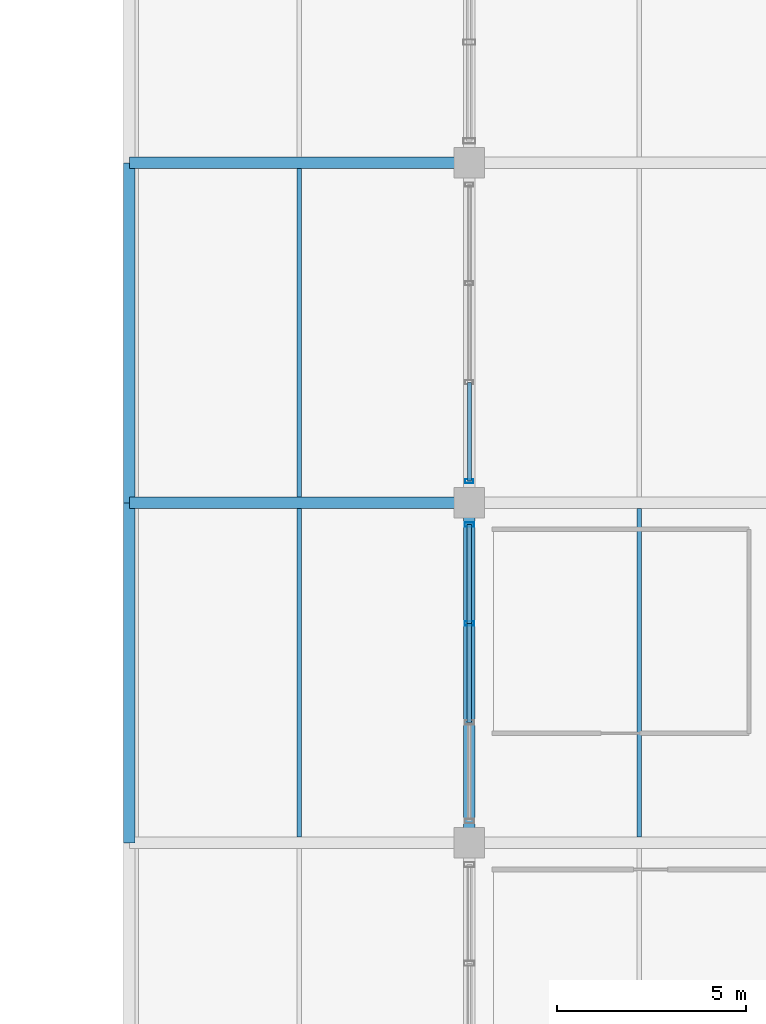
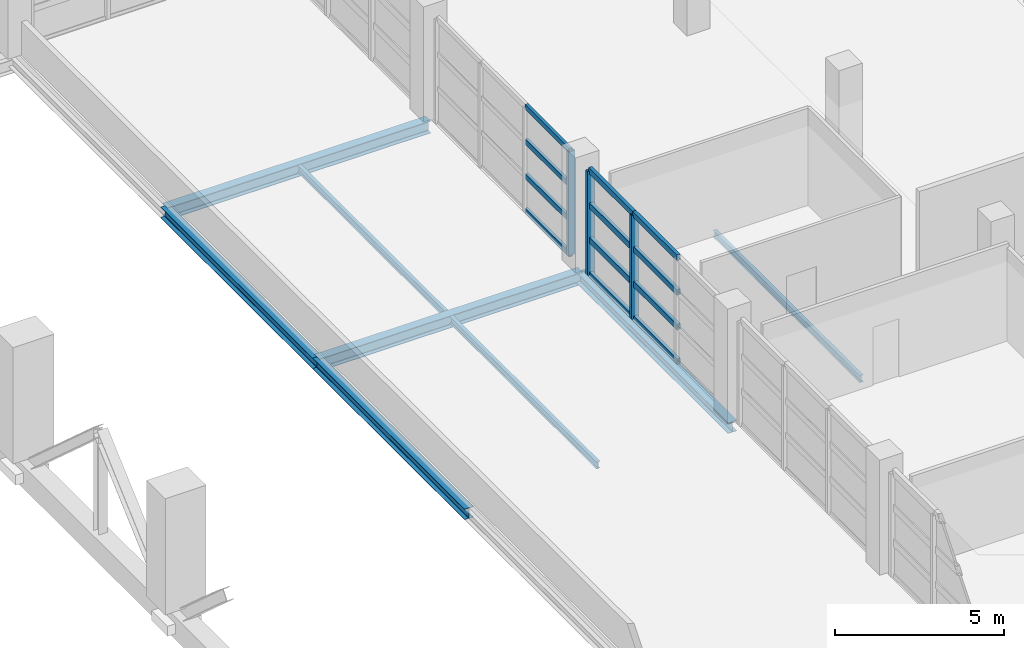
# One storey, part 80 of 136: 15 members, 8 beams, 2 elements without a shape of their own.
"""IFC4 building model written with IfcOpenShell, lengths in metres."""

from ifc_helpers import new_model, si_unit, direction, frame, origin, origin_2d, place, context, subcontext, project, spatial, hollow_rectangle, i_section, extrude, material, material_profile, profile_set, type_object, element, aggregate, save


model = new_model("IFC4")

# Units and contexts
model_context = context("Model", 3, precision=1e-05, world=origin(), true_north=direction((0.0, 1.0)))
body_context = subcontext(model_context, "Body", "Model", "MODEL_VIEW")
ifc_project = project(units=[si_unit("LENGTHUNIT", "METRE"), si_unit("AREAUNIT", "SQUARE_METRE"), si_unit("VOLUMEUNIT", "CUBIC_METRE"), si_unit("PLANEANGLEUNIT", "RADIAN"), si_unit("MASSUNIT", "GRAM", prefix="KILO")], contexts=[model_context])

# Site, building, storey
site_placement = place(None, origin())
site = spatial("IfcSite", under=ifc_project, at=site_placement, CompositionType="ELEMENT")
building_placement = place(site_placement, origin())
building = spatial("IfcBuilding", under=site, at=building_placement, Name="Chuanluo Vaults Station", CompositionType="ELEMENT")
storey_placement = place(building_placement, frame((0.0, 0.0, 6.60009765625)))
storey = spatial("IfcBuildingStorey", under=building, at=storey_placement, Name="L01", CompositionType="ELEMENT", Elevation=6.60009765625)

# Beams
ifc_material_1 = material(Name="Steel Q355C", Category="steel")
ifc_material_profile_1 = material_profile(ifc_material_1, i_section(OverallWidth=0.300048828125, OverallDepth=0.389892578125, WebThickness=0.010009765625, FlangeThickness=0.01611328125, FilletRadius=0.02001953125, at=origin_2d()))
ifc_profile_set_1 = profile_set([ifc_material_profile_1], Name="Steel Q355C")
beam_type_1 = type_object("IfcBeamType", Name="BM-GRD-400", PredefinedType="BEAM", material=ifc_profile_set_1)
for number, where, z_axis, x_axis, name in (
    (1, (136.0, 76.5, -0.400146484375), (0.0, 1.0, 0.0), (-1.0, 0.0, 0.0), "Floor girder BM:GY:L01:0461"),
    (2, (136.0, 85.5, -0.400146484375), (0.0, 1.0, 0.0), (-1.0, 0.0, 0.0), "Floor girder BM:GY:L01:0462"),
    (3, (145.0, 76.5, -0.43505859375), (0.0, 1.0, 0.0), (-1.0, 0.0, 0.0), "Floor girder BM:GY:L01:0472"),
):
    element("IfcBeam", number, at=place(storey_placement, frame(where, z_axis=z_axis, x_axis=x_axis)), inside=storey, type_object=beam_type_1, Name=name, PredefinedType="BEAM", context=body_context, shape_type="SweptSolid", body=[
        extrude(i_section(OverallWidth=0.300048828125, OverallDepth=0.389892578125, WebThickness=0.010009765625, FlangeThickness=0.01611328125, FilletRadius=0.02001953125, at=origin_2d()), origin(), (0.0, 0.0, 1.0), 9.0),
    ])
ifc_material_2 = material(Name="Steel Q355C", Category="steel")
ifc_material_profile_2 = material_profile(ifc_material_2, i_section(OverallWidth=0.300048828125, OverallDepth=0.43994140625, WebThickness=0.010986328125, FlangeThickness=0.01806640625, FilletRadius=0.02001953125, at=origin_2d()))
ifc_profile_set_2 = profile_set([ifc_material_profile_2], Name="Steel Q355C")
beam_type_2 = type_object("IfcBeamType", Name="BM-GRD-450", PredefinedType="USERDEFINED", material=ifc_profile_set_2)
for number, where, z_axis, x_axis, name in (
    (4, (136.0, 85.5, -0.425048828125), (1.0, 0.0, 0.0), (0.0, 1.0, 0.0), "Floor girder BM:GX:L01:0351"),
    (5, (136.0, 94.5, -0.425048828125), (1.0, 0.0, 0.0), (0.0, 1.0, 0.0), "Floor girder BM:GX:L01:0357"),
):
    element("IfcBeam", number, at=place(storey_placement, frame(where, z_axis=z_axis, x_axis=x_axis)), inside=storey, type_object=beam_type_2, Name=name, ObjectType="GIRDER", PredefinedType="USERDEFINED", context=body_context, shape_type="SweptSolid", body=[
        extrude(i_section(OverallWidth=0.300048828125, OverallDepth=0.43994140625, WebThickness=0.010986328125, FlangeThickness=0.01806640625, FilletRadius=0.02001953125, at=origin_2d()), origin(), (0.0, 0.0, 1.0), 9.0),
    ])
ifc_material_3 = material(Name="Steel Q355C", Category="steel")
ifc_material_profile_3 = material_profile(ifc_material_3, i_section(OverallWidth=0.125, OverallDepth=0.25, WebThickness=0.006103515625, FlangeThickness=0.009033203125, FilletRadius=0.011962890625, at=origin_2d()))
ifc_profile_set_3 = profile_set([ifc_material_profile_3], Name="Steel Q355C")
beam_type_3 = type_object("IfcBeamType", Name="BM-SEC-250", PredefinedType="JOIST", material=ifc_profile_set_3)
for number, where, z_axis, x_axis, name in (
    (6, (140.5, 76.655029296875, -0.330078125), (0.0, 1.0, 0.0), (-1.0, 0.0, 0.0), "Composite secondary joist 0153"),
    (7, (140.5, 85.655029296875, -0.330078125), (0.0, 1.0, 0.0), (-1.0, 0.0, 0.0), "Composite secondary joist 0154"),
    (8, (149.5, 76.655029296875, -0.364990234375), (0.0, 1.0, 0.0), (-1.0, 0.0, 0.0), "Composite secondary joist 0163"),
):
    element("IfcBeam", number, at=place(storey_placement, frame(where, z_axis=z_axis, x_axis=x_axis)), inside=storey, type_object=beam_type_3, Name=name, PredefinedType="JOIST", context=body_context, shape_type="SweptSolid", body=[
        extrude(i_section(OverallWidth=0.125, OverallDepth=0.25, WebThickness=0.006103515625, FlangeThickness=0.009033203125, FilletRadius=0.011962890625, at=origin_2d()), origin(), (0.0, 0.0, 1.0), 8.68994140625),
    ])

# Curtain wall, member
ifc_material_4 = material(Name="Anodised aluminium 6063-T6", Category="aluminium")
curtain_wall_type_1 = type_object("IfcCurtainWallType", Name="CW-SYS-12", PredefinedType="NOTDEFINED", material=ifc_material_4)
curtain_wall_1_placement = place(storey_placement, origin())
curtain_wall_1 = element("IfcCurtainWall", 9, at=curtain_wall_1_placement, inside=storey, type_object=curtain_wall_type_1, Name="Operations L01 facade CW", PredefinedType="NOTDEFINED")
ifc_material_5 = material(Name="Anodised aluminium 6063-T6", Category="aluminium")
ifc_material_profile_4 = material_profile(ifc_material_5, hollow_rectangle(XDim=0.10498046875, YDim=0.219970703125, WallThickness=0.006103515625, at=origin_2d()))
ifc_profile_set_4 = profile_set([ifc_material_profile_4], Name="Anodised aluminium 6063-T6")
member_type_1 = type_object("IfcMemberType", Name="CWM-140", PredefinedType="MULLION", material=ifc_profile_set_4)
member_1_placement = place(storey_placement, frame((145.0, 86.074951171875, 0.0), z_axis=(0.0, 0.0, 1.0), x_axis=(0.0, 1.0, 0.0)))
member_1 = element("IfcMember", 10, at=member_1_placement, type_object=member_type_1, Name="Operations L01 facade CW mullion 1", PredefinedType="MULLION", context=body_context, shape_type="SweptSolid", body=[
    extrude(hollow_rectangle(XDim=0.10498046875, YDim=0.219970703125, WallThickness=0.006103515625, at=origin_2d()), origin(), (0.0, 0.0, 1.0), 3.75),
])

# Curtain wall, members
ifc_material_6 = material(Name="Anodised aluminium 6063-T6", Category="aluminium")
curtain_wall_type_2 = type_object("IfcCurtainWallType", Name="CW-SYS-11", PredefinedType="NOTDEFINED", material=ifc_material_6)
curtain_wall_2_placement = place(storey_placement, origin())
curtain_wall_2 = element("IfcCurtainWall", 11, at=curtain_wall_2_placement, inside=storey, type_object=curtain_wall_type_2, Name="Operations L01 facade CW", PredefinedType="NOTDEFINED")
ifc_material_7 = material(Name="Anodised aluminium 6063-T6", Category="aluminium")
ifc_material_profile_5 = material_profile(ifc_material_7, hollow_rectangle(XDim=0.1201171875, YDim=0.25, WallThickness=0.006103515625, at=origin_2d()))
ifc_profile_set_5 = profile_set([ifc_material_profile_5], Name="Anodised aluminium 6063-T6")
member_type_2 = type_object("IfcMemberType", Name="CWM-160", PredefinedType="MULLION", material=ifc_profile_set_5)
member_2_placement = place(storey_placement, frame((145.0, 82.308349609375, 0.0), z_axis=(0.0, 0.0, 1.0), x_axis=(0.0, 1.0, 0.0)))
member_2 = element("IfcMember", 12, at=member_2_placement, type_object=member_type_2, Name="Operations L01 facade CW mullion 3", PredefinedType="MULLION", context=body_context, shape_type="SweptSolid", body=[
    extrude(hollow_rectangle(XDim=0.1201171875, YDim=0.25, WallThickness=0.006103515625, at=origin_2d()), origin(), (0.0, 0.0, 1.0), 3.75),
])
member_3_placement = place(storey_placement, frame((145.0, 84.925048828125, 0.0), z_axis=(0.0, 0.0, 1.0), x_axis=(0.0, 1.0, 0.0)))
member_3 = element("IfcMember", 13, at=member_3_placement, type_object=member_type_2, Name="Operations L01 facade CW mullion 4", PredefinedType="MULLION", context=body_context, shape_type="SweptSolid", body=[
    extrude(hollow_rectangle(XDim=0.1201171875, YDim=0.25, WallThickness=0.006103515625, at=origin_2d()), origin(), (0.0, 0.0, 1.0), 3.75),
])

# Member
ifc_material_8 = material(Name="Anodised aluminium 6063-T6", Category="aluminium")
ifc_material_profile_6 = material_profile(ifc_material_8, hollow_rectangle(XDim=0.10498046875, YDim=0.18505859375, WallThickness=0.0048828125, at=origin_2d()))
ifc_profile_set_6 = profile_set([ifc_material_profile_6], Name="Anodised aluminium 6063-T6")
member_type_3 = type_object("IfcMemberType", Name="CWT-110", PredefinedType="USERDEFINED", material=ifc_profile_set_6)
member_4_placement = place(storey_placement, frame((145.0, 86.074951171875, 0.0), z_axis=(0.0, 1.0, 0.0), x_axis=(-1.0, 0.0, 0.0)))
member_4 = element("IfcMember", 14, at=member_4_placement, type_object=member_type_3, Name="Operations L01 facade CW transom 1.1", ObjectType="TRANSOM", PredefinedType="USERDEFINED", context=body_context, shape_type="SweptSolid", body=[
    extrude(hollow_rectangle(XDim=0.10498046875, YDim=0.18505859375, WallThickness=0.0048828125, at=origin_2d()), origin(), (0.0, 0.0, 1.0), 2.61669921875),
])

member_5_placement = place(storey_placement, frame((145.0, 86.074951171875, 1.25), z_axis=(0.0, 1.0, 0.0), x_axis=(-1.0, 0.0, 0.0)))
member_5 = element("IfcMember", 15, at=member_5_placement, type_object=member_type_3, Name="Operations L01 facade CW transom 1.2", ObjectType="TRANSOM", PredefinedType="USERDEFINED", context=body_context, shape_type="SweptSolid", body=[
    extrude(hollow_rectangle(XDim=0.10498046875, YDim=0.18505859375, WallThickness=0.0048828125, at=origin_2d()), origin(), (0.0, 0.0, 1.0), 2.61669921875),
])

member_6_placement = place(storey_placement, frame((145.0, 86.074951171875, 2.5), z_axis=(0.0, 1.0, 0.0), x_axis=(-1.0, 0.0, 0.0)))
member_6 = element("IfcMember", 16, at=member_6_placement, type_object=member_type_3, Name="Operations L01 facade CW transom 1.3", ObjectType="TRANSOM", PredefinedType="USERDEFINED", context=body_context, shape_type="SweptSolid", body=[
    extrude(hollow_rectangle(XDim=0.10498046875, YDim=0.18505859375, WallThickness=0.0048828125, at=origin_2d()), origin(), (0.0, 0.0, 1.0), 2.61669921875),
])

member_7_placement = place(storey_placement, frame((145.0, 86.074951171875, 3.75), z_axis=(0.0, 1.0, 0.0), x_axis=(-1.0, 0.0, 0.0)))
member_7 = element("IfcMember", 17, at=member_7_placement, type_object=member_type_3, Name="Operations L01 facade CW transom 1.4", ObjectType="TRANSOM", PredefinedType="USERDEFINED", context=body_context, shape_type="SweptSolid", body=[
    extrude(hollow_rectangle(XDim=0.10498046875, YDim=0.18505859375, WallThickness=0.0048828125, at=origin_2d()), origin(), (0.0, 0.0, 1.0), 2.61669921875),
])

aggregate(curtain_wall_1, [member_1, member_4, member_5, member_6, member_7])

ifc_material_9 = material(Name="Anodised aluminium 6063-T6", Category="aluminium")
ifc_material_profile_7 = material_profile(ifc_material_9, hollow_rectangle(XDim=0.1201171875, YDim=0.205078125, WallThickness=0.006103515625, at=origin_2d()))
ifc_profile_set_7 = profile_set([ifc_material_profile_7], Name="Anodised aluminium 6063-T6")
member_type_4 = type_object("IfcMemberType", Name="CWT-130", PredefinedType="USERDEFINED", material=ifc_profile_set_7)
member_8_placement = place(storey_placement, frame((145.0, 79.691650390625, 0.0), z_axis=(0.0, 1.0, 0.0), x_axis=(-1.0, 0.0, 0.0)))
member_8 = element("IfcMember", 18, at=member_8_placement, type_object=member_type_4, Name="Operations L01 facade CW transom 2.1", ObjectType="TRANSOM", PredefinedType="USERDEFINED", context=body_context, shape_type="SweptSolid", body=[
    extrude(hollow_rectangle(XDim=0.1201171875, YDim=0.205078125, WallThickness=0.006103515625, at=origin_2d()), origin(), (0.0, 0.0, 1.0), 2.61669921875),
])

member_9_placement = place(storey_placement, frame((145.0, 79.691650390625, 1.25), z_axis=(0.0, 1.0, 0.0), x_axis=(-1.0, 0.0, 0.0)))
member_9 = element("IfcMember", 19, at=member_9_placement, type_object=member_type_4, Name="Operations L01 facade CW transom 2.2", ObjectType="TRANSOM", PredefinedType="USERDEFINED", context=body_context, shape_type="SweptSolid", body=[
    extrude(hollow_rectangle(XDim=0.1201171875, YDim=0.205078125, WallThickness=0.006103515625, at=origin_2d()), origin(), (0.0, 0.0, 1.0), 2.61669921875),
])

member_10_placement = place(storey_placement, frame((145.0, 79.691650390625, 2.5), z_axis=(0.0, 1.0, 0.0), x_axis=(-1.0, 0.0, 0.0)))
member_10 = element("IfcMember", 20, at=member_10_placement, type_object=member_type_4, Name="Operations L01 facade CW transom 2.3", ObjectType="TRANSOM", PredefinedType="USERDEFINED", context=body_context, shape_type="SweptSolid", body=[
    extrude(hollow_rectangle(XDim=0.1201171875, YDim=0.205078125, WallThickness=0.006103515625, at=origin_2d()), origin(), (0.0, 0.0, 1.0), 2.61669921875),
])

member_11_placement = place(storey_placement, frame((145.0, 79.691650390625, 3.75), z_axis=(0.0, 1.0, 0.0), x_axis=(-1.0, 0.0, 0.0)))
member_11 = element("IfcMember", 21, at=member_11_placement, type_object=member_type_4, Name="Operations L01 facade CW transom 2.4", ObjectType="TRANSOM", PredefinedType="USERDEFINED", context=body_context, shape_type="SweptSolid", body=[
    extrude(hollow_rectangle(XDim=0.1201171875, YDim=0.205078125, WallThickness=0.006103515625, at=origin_2d()), origin(), (0.0, 0.0, 1.0), 2.61669921875),
])

member_12_placement = place(storey_placement, frame((145.0, 82.308349609375, 0.0), z_axis=(0.0, 1.0, 0.0), x_axis=(-1.0, 0.0, 0.0)))
member_12 = element("IfcMember", 22, at=member_12_placement, type_object=member_type_4, Name="Operations L01 facade CW transom 3.1", ObjectType="TRANSOM", PredefinedType="USERDEFINED", context=body_context, shape_type="SweptSolid", body=[
    extrude(hollow_rectangle(XDim=0.1201171875, YDim=0.205078125, WallThickness=0.006103515625, at=origin_2d()), origin(), (0.0, 0.0, 1.0), 2.61669921875),
])

member_13_placement = place(storey_placement, frame((145.0, 82.308349609375, 1.25), z_axis=(0.0, 1.0, 0.0), x_axis=(-1.0, 0.0, 0.0)))
member_13 = element("IfcMember", 23, at=member_13_placement, type_object=member_type_4, Name="Operations L01 facade CW transom 3.2", ObjectType="TRANSOM", PredefinedType="USERDEFINED", context=body_context, shape_type="SweptSolid", body=[
    extrude(hollow_rectangle(XDim=0.1201171875, YDim=0.205078125, WallThickness=0.006103515625, at=origin_2d()), origin(), (0.0, 0.0, 1.0), 2.61669921875),
])

member_14_placement = place(storey_placement, frame((145.0, 82.308349609375, 2.5), z_axis=(0.0, 1.0, 0.0), x_axis=(-1.0, 0.0, 0.0)))
member_14 = element("IfcMember", 24, at=member_14_placement, type_object=member_type_4, Name="Operations L01 facade CW transom 3.3", ObjectType="TRANSOM", PredefinedType="USERDEFINED", context=body_context, shape_type="SweptSolid", body=[
    extrude(hollow_rectangle(XDim=0.1201171875, YDim=0.205078125, WallThickness=0.006103515625, at=origin_2d()), origin(), (0.0, 0.0, 1.0), 2.61669921875),
])

member_15_placement = place(storey_placement, frame((145.0, 82.308349609375, 3.75), z_axis=(0.0, 1.0, 0.0), x_axis=(-1.0, 0.0, 0.0)))
member_15 = element("IfcMember", 25, at=member_15_placement, type_object=member_type_4, Name="Operations L01 facade CW transom 3.4", ObjectType="TRANSOM", PredefinedType="USERDEFINED", context=body_context, shape_type="SweptSolid", body=[
    extrude(hollow_rectangle(XDim=0.1201171875, YDim=0.205078125, WallThickness=0.006103515625, at=origin_2d()), origin(), (0.0, 0.0, 1.0), 2.61669921875),
])

aggregate(curtain_wall_2, [member_2, member_3, member_8, member_9, member_10, member_11, member_12, member_13, member_14, member_15])

save(model, "model.ifc")
